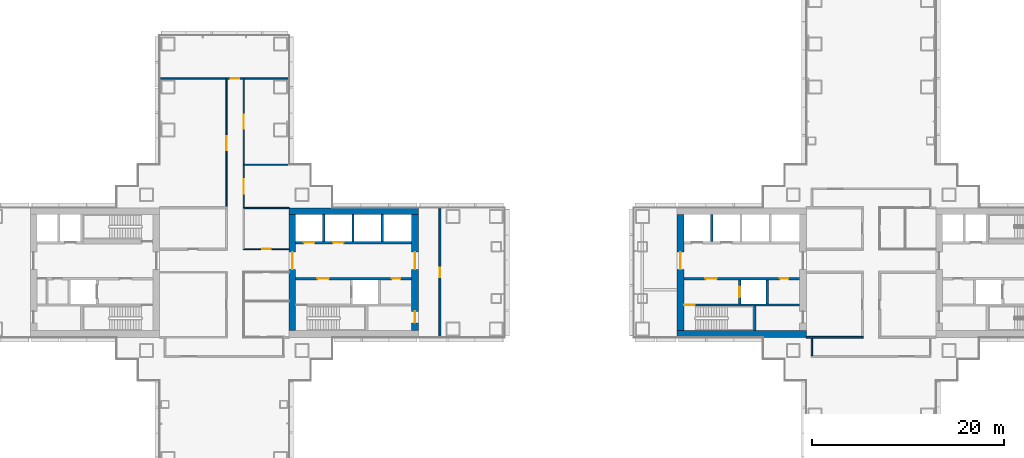
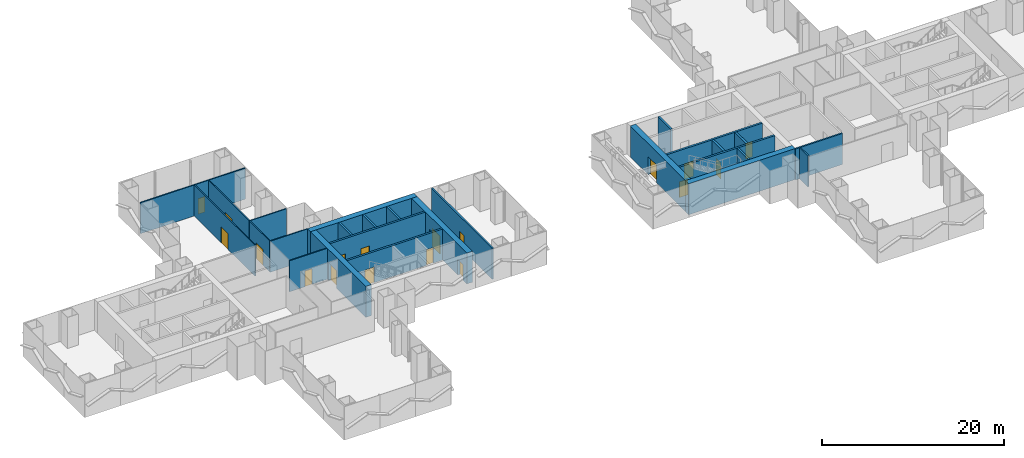
# One storey, part 15 of 22: 28 walls, 18 doors, 18 openings.
"""IFC4 building model written with IfcOpenShell, lengths in metres."""

from ifc_helpers import new_model, si_unit, direction, frame, frame_2d, origin, place, context, subcontext, project, spatial, rectangle, extrude, material, layer, layer_set, type_object, element, fill, save


model = new_model("IFC4")

# Units and contexts
model_context = context("Model", 3, precision=1e-05, world=origin(), true_north=direction((0.0, 1.0)))
body_context = subcontext(model_context, "Body", "Model", "MODEL_VIEW")
ifc_project = project(units=[si_unit("LENGTHUNIT", "METRE"), si_unit("AREAUNIT", "SQUARE_METRE"), si_unit("VOLUMEUNIT", "CUBIC_METRE"), si_unit("PLANEANGLEUNIT", "RADIAN"), si_unit("MASSUNIT", "GRAM", prefix="KILO")], contexts=[model_context])

# Site, building, storey
site_placement = place(None, origin())
site = spatial("IfcSite", under=ifc_project, at=site_placement, CompositionType="ELEMENT")
building_placement = place(site_placement, origin())
building = spatial("IfcBuilding", under=site, at=building_placement, Name="Shamsa Quay Exchange Towers", CompositionType="ELEMENT")
storey_placement = place(building_placement, frame((0.0, 0.0, 37.5)))
storey = spatial("IfcBuildingStorey", under=building, at=storey_placement, Name="L07", CompositionType="ELEMENT", Elevation=37.5)

# Wall
ifc_material_1 = material(Name="Concrete C80/95", Category="concrete")
ifc_layer_1 = layer(ifc_material_1, 0.699951171875)
ifc_layer_set_1 = layer_set([ifc_layer_1], Name="CORE WALL 700 C80/95")
wall_type_1 = type_object("IfcWallType", Name="CORE WALL 700 C80/95", PredefinedType="SHEAR", material=ifc_layer_set_1)
wall_1_placement = place(storey_placement, frame((-27.0, 6.39990234375, 0.0)))
element("IfcWall", 1, at=wall_1_placement, inside=storey, type_object=wall_type_1, Name="Core wall T1A-R02-PN", PredefinedType="SHEAR", context=body_context, shape_type="SweptSolid", body=[
    extrude(rectangle(XDim=13.5, YDim=0.699951171875, at=frame_2d((6.75, 0.0))), origin(), (0.0, 0.0, 1.0), 4.14990234375),
])

# Wall, opening, door
wall_2_placement = place(storey_placement, frame((-26.64990234375, 6.050048828125, 0.0), z_axis=(0.0, 0.0, 1.0), x_axis=(0.0, -1.0, 0.0)))
wall_2 = element("IfcWall", 2, at=wall_2_placement, inside=storey, type_object=wall_type_1, Name="Core wall T1A-R02-PF", PredefinedType="SHEAR", context=body_context, shape_type="SweptSolid", body=[
    extrude(rectangle(XDim=12.10009765625, YDim=0.699951171875, at=frame_2d((6.050048828125, 0.0))), origin(), (0.0, 0.0, 1.0), 4.14990234375),
])
opening_1_placement = place(wall_2_placement, frame((3.89990234375, 0.0, 0.0)))
opening_1 = element("IfcOpeningElement", 3, at=opening_1_placement, cuts=wall_2, Name="Opening T1A-R02-LBD01", PredefinedType="OPENING", context=body_context, shape_type="SweptSolid", body=[
    extrude(rectangle(XDim=1.800048828125, YDim=2.39990234375, at=frame_2d((0.89990234375, 1.199951171875))), frame((0.0, 0.35986328125, 0.0), z_axis=(0.0, -1.0, 0.0), x_axis=(1.0, 0.0, 0.0)), (0.0, 0.0, 1.0), 0.719970703125),
])
ifc_material_2 = material(Name="Steel, fire rated", Category="steel")
door_type_1 = type_object("IfcDoorType", Name="LIFT LOBBY DOOR PAIR 1800", OperationType="DOUBLE_DOOR_SINGLE_SWING", PredefinedType="DOOR", material=ifc_material_2)
door_1_placement = place(opening_1_placement, origin())
door_1 = element("IfcDoor", 4, at=door_1_placement, inside=storey, type_object=door_type_1, Name="T1A-R02-LBD01", OperationType="DOUBLE_DOOR_SINGLE_SWING", OverallHeight=2.39990234375, OverallWidth=1.800048828125, PredefinedType="DOOR", context=body_context, shape_type="SweptSolid", body=[
    extrude(rectangle(XDim=1.800048828125, YDim=2.39990234375, at=frame_2d((0.89990234375, 1.199951171875))), frame((0.0, 0.02490234375, 0.0), z_axis=(0.0, -1.0, 0.0), x_axis=(1.0, 0.0, 0.0)), (0.0, 0.0, 1.0), 0.050048828125),
])
fill(opening_1, door_1)

# Wall, openings, doors
wall_3_placement = place(storey_placement, frame((-13.85009765625, 6.050048828125, 0.0), z_axis=(0.0, 0.0, 1.0), x_axis=(0.0, -1.0, 0.0)))
wall_3 = element("IfcWall", 5, at=wall_3_placement, inside=storey, type_object=wall_type_1, Name="Core wall T1A-R02-PB", PredefinedType="SHEAR", context=body_context, shape_type="SweptSolid", body=[
    extrude(rectangle(XDim=12.10009765625, YDim=0.699951171875, at=frame_2d((6.050048828125, 0.0))), origin(), (0.0, 0.0, 1.0), 4.14990234375),
])
opening_2_placement = place(wall_3_placement, frame((10.10009765625, 0.0, 0.0)))
opening_2 = element("IfcOpeningElement", 6, at=opening_2_placement, cuts=wall_3, Name="Opening T1A-R02-RD02", PredefinedType="OPENING", context=body_context, shape_type="SweptSolid", body=[
    extrude(rectangle(XDim=1.199951171875, YDim=2.10009765625, at=frame_2d((0.60009765625, 1.050048828125))), frame((0.0, 0.35986328125, 0.0), z_axis=(0.0, -1.0, 0.0), x_axis=(1.0, 0.0, 0.0)), (0.0, 0.0, 1.0), 0.719970703125),
])
opening_3_placement = place(wall_3_placement, frame((3.89990234375, 0.0, 0.0)))
opening_3 = element("IfcOpeningElement", 7, at=opening_3_placement, cuts=wall_3, Name="Opening T1A-R02-LBD03", PredefinedType="OPENING", context=body_context, shape_type="SweptSolid", body=[
    extrude(rectangle(XDim=1.800048828125, YDim=2.39990234375, at=frame_2d((0.89990234375, 1.199951171875))), frame((0.0, 0.35986328125, 0.0), z_axis=(0.0, -1.0, 0.0), x_axis=(1.0, 0.0, 0.0)), (0.0, 0.0, 1.0), 0.719970703125),
])
door_2_placement = place(opening_3_placement, origin())
door_2 = element("IfcDoor", 8, at=door_2_placement, inside=storey, type_object=door_type_1, Name="T1A-R02-LBD03", OperationType="DOUBLE_DOOR_SINGLE_SWING", OverallHeight=2.39990234375, OverallWidth=1.800048828125, PredefinedType="DOOR", context=body_context, shape_type="SweptSolid", body=[
    extrude(rectangle(XDim=1.800048828125, YDim=2.39990234375, at=frame_2d((0.89990234375, 1.199951171875))), frame((0.0, 0.02490234375, 0.0), z_axis=(0.0, -1.0, 0.0), x_axis=(1.0, 0.0, 0.0)), (0.0, 0.0, 1.0), 0.050048828125),
])
fill(opening_3, door_2)
door_type_2 = type_object("IfcDoorType", Name="RISER ACCESS DOOR 1200", OperationType="SINGLE_SWING_LEFT", PredefinedType="DOOR", material=ifc_material_2)
door_3_placement = place(opening_2_placement, origin())
door_3 = element("IfcDoor", 9, at=door_3_placement, inside=storey, type_object=door_type_2, Name="T1A-R02-RD02", OperationType="SINGLE_SWING_RIGHT", OverallHeight=2.10009765625, OverallWidth=1.199951171875, PredefinedType="DOOR", context=body_context, shape_type="SweptSolid", body=[
    extrude(rectangle(XDim=1.199951171875, YDim=2.10009765625, at=frame_2d((0.60009765625, 1.050048828125))), frame((0.0, 0.02490234375, 0.0), z_axis=(0.0, -1.0, 0.0), x_axis=(1.0, 0.0, 0.0)), (0.0, 0.0, 1.0), 0.050048828125),
])
fill(opening_2, door_3)

# Wall
wall_4_placement = place(storey_placement, frame((13.5, -6.39990234375, 0.0)))
element("IfcWall", 10, at=wall_4_placement, inside=storey, type_object=wall_type_1, Name="Core wall T2A-R02-PS", PredefinedType="SHEAR", context=body_context, shape_type="SweptSolid", body=[
    extrude(rectangle(XDim=13.5, YDim=0.699951171875, at=frame_2d((6.75, 0.0))), origin(), (0.0, 0.0, 1.0), 4.14990234375),
])

# Wall, opening, door
wall_5_placement = place(storey_placement, frame((13.85009765625, 6.050048828125, 0.0), z_axis=(0.0, 0.0, 1.0), x_axis=(0.0, -1.0, 0.0)))
wall_5 = element("IfcWall", 11, at=wall_5_placement, inside=storey, type_object=wall_type_1, Name="Core wall T2A-R02-PF", PredefinedType="SHEAR", context=body_context, shape_type="SweptSolid", body=[
    extrude(rectangle(XDim=12.10009765625, YDim=0.699951171875, at=frame_2d((6.050048828125, 0.0))), origin(), (0.0, 0.0, 1.0), 4.14990234375),
])
opening_4_placement = place(wall_5_placement, frame((3.89990234375, 0.0, 0.0)))
opening_4 = element("IfcOpeningElement", 12, at=opening_4_placement, cuts=wall_5, Name="Opening T2A-R02-LBD01", PredefinedType="OPENING", context=body_context, shape_type="SweptSolid", body=[
    extrude(rectangle(XDim=1.800048828125, YDim=2.39990234375, at=frame_2d((0.89990234375, 1.199951171875))), frame((0.0, 0.35986328125, 0.0), z_axis=(0.0, -1.0, 0.0), x_axis=(1.0, 0.0, 0.0)), (0.0, 0.0, 1.0), 0.719970703125),
])
door_4_placement = place(opening_4_placement, origin())
door_4 = element("IfcDoor", 13, at=door_4_placement, inside=storey, type_object=door_type_1, Name="T2A-R02-LBD01", OperationType="DOUBLE_DOOR_SINGLE_SWING", OverallHeight=2.39990234375, OverallWidth=1.800048828125, PredefinedType="DOOR", context=body_context, shape_type="SweptSolid", body=[
    extrude(rectangle(XDim=1.800048828125, YDim=2.39990234375, at=frame_2d((0.89990234375, 1.199951171875))), frame((0.0, 0.02490234375, 0.0), z_axis=(0.0, -1.0, 0.0), x_axis=(1.0, 0.0, 0.0)), (0.0, 0.0, 1.0), 0.050048828125),
])
fill(opening_4, door_4)

ifc_material_3 = material(Name="Laminated fire-resisting glass in a metal frame", Category="glass")
ifc_layer_2 = layer(ifc_material_3, 0.125)
ifc_layer_set_2 = layer_set([ifc_layer_2], Name="Glazed partition 125 mm EI 60")
wall_type_2 = type_object("IfcWallType", Name="Glazed partition 125 mm EI 60", PredefinedType="PARTITIONING", material=ifc_layer_set_2)
wall_6_placement = place(storey_placement, frame((-31.724609375, 20.175048828125, 0.0), z_axis=(0.0, 0.0, 1.0), x_axis=(0.0, -1.0, 0.0)))
wall_6 = element("IfcWall", 14, at=wall_6_placement, inside=storey, type_object=wall_type_2, Name="Partition T1-R02-W01", PredefinedType="PARTITIONING", context=body_context, shape_type="SweptSolid", body=[
    extrude(rectangle(XDim=8.862548828125, YDim=0.125, at=frame_2d((4.43115234375, 0.0))), origin(), (0.0, 0.0, 1.0), 4.14990234375),
])
opening_5_placement = place(wall_6_placement, frame((3.675048828125, 0.0, 0.0)))
opening_5 = element("IfcOpeningElement", 15, at=opening_5_placement, cuts=wall_6, Name="Opening T1-R02-D09", PredefinedType="OPENING", context=body_context, shape_type="SweptSolid", body=[
    extrude(rectangle(XDim=1.5, YDim=2.10009765625, at=frame_2d((0.75, 1.050048828125))), frame((0.0, 0.072509765625, 0.0), z_axis=(0.0, -1.0, 0.0), x_axis=(1.0, 0.0, 0.0)), (0.0, 0.0, 1.0), 0.14501953125),
])
ifc_material_4 = material(Name="Timber door leaf in a metal frame", Category="wood")
door_type_3 = type_object("IfcDoorType", Name="Door 1500x2100 FD30S pair", OperationType="NOTDEFINED", PredefinedType="DOOR", material=ifc_material_4)
door_5_placement = place(opening_5_placement, origin())
door_5 = element("IfcDoor", 16, at=door_5_placement, inside=storey, type_object=door_type_3, Name="Door T1-R02-D09", OperationType="DOUBLE_DOOR_SINGLE_SWING", OverallHeight=2.10009765625, OverallWidth=1.5, PredefinedType="DOOR", context=body_context, shape_type="SweptSolid", body=[
    extrude(rectangle(XDim=1.5, YDim=2.10009765625, at=frame_2d((0.75, 1.050048828125))), frame((0.0, 0.02490234375, 0.0), z_axis=(0.0, -1.0, 0.0), x_axis=(1.0, 0.0, 0.0)), (0.0, 0.0, 1.0), 0.050048828125),
])
fill(opening_5, door_5)

wall_7_placement = place(storey_placement, frame((-31.787109375, 2.4501953125, 0.0)))
wall_7 = element("IfcWall", 17, at=wall_7_placement, inside=storey, type_object=wall_type_2, Name="Partition T1-R02-W03", PredefinedType="PARTITIONING", context=body_context, shape_type="SweptSolid", body=[
    extrude(rectangle(XDim=4.787109375, YDim=0.125, at=frame_2d((2.3935546875, 0.0))), origin(), (0.0, 0.0, 1.0), 4.14990234375),
])
opening_6_placement = place(wall_7_placement, frame((1.974853515625, 0.0, 0.0)))
opening_6 = element("IfcOpeningElement", 18, at=opening_6_placement, cuts=wall_7, Name="Opening T1-R02-D07", PredefinedType="OPENING", context=body_context, shape_type="SweptSolid", body=[
    extrude(rectangle(XDim=0.89990234375, YDim=2.10009765625, at=frame_2d((0.449951171875, 1.050048828125))), frame((0.0, 0.072509765625, 0.0), z_axis=(0.0, -1.0, 0.0), x_axis=(1.0, 0.0, 0.0)), (0.0, 0.0, 1.0), 0.14501953125),
])
door_type_4 = type_object("IfcDoorType", Name="Door 900x2100 FD30S", OperationType="NOTDEFINED", PredefinedType="DOOR", material=ifc_material_4)
door_6_placement = place(opening_6_placement, origin())
door_6 = element("IfcDoor", 19, at=door_6_placement, inside=storey, type_object=door_type_4, Name="Door T1-R02-D07", OperationType="SINGLE_SWING_LEFT", OverallHeight=2.10009765625, OverallWidth=0.89990234375, PredefinedType="DOOR", context=body_context, shape_type="SweptSolid", body=[
    extrude(rectangle(XDim=0.89990234375, YDim=2.10009765625, at=frame_2d((0.449951171875, 1.050048828125))), frame((0.0, 0.02490234375, 0.0), z_axis=(0.0, -1.0, 0.0), x_axis=(1.0, 0.0, 0.0)), (0.0, 0.0, 1.0), 0.050048828125),
])
fill(opening_6, door_6)

wall_8_placement = place(storey_placement, frame((-33.525390625, 6.85009765625, 0.0), z_axis=(0.0, 0.0, 1.0), x_axis=(0.0, 1.0, 0.0)))
wall_8 = element("IfcWall", 20, at=wall_8_placement, inside=storey, type_object=wall_type_2, Name="Partition T1-R02-W11", PredefinedType="PARTITIONING", context=body_context, shape_type="SweptSolid", body=[
    extrude(rectangle(XDim=13.324951171875, YDim=0.125, at=frame_2d((6.66259765625, 0.0))), origin(), (0.0, 0.0, 1.0), 4.14990234375),
])
opening_7_placement = place(wall_8_placement, frame((5.89990234375, 0.0, 0.0)))
opening_7 = element("IfcOpeningElement", 21, at=opening_7_placement, cuts=wall_8, Name="Opening T1-R02-D04", PredefinedType="OPENING", context=body_context, shape_type="SweptSolid", body=[
    extrude(rectangle(XDim=1.5, YDim=2.10009765625, at=frame_2d((0.75, 1.050048828125))), frame((0.0, 0.072509765625, 0.0), z_axis=(0.0, -1.0, 0.0), x_axis=(1.0, 0.0, 0.0)), (0.0, 0.0, 1.0), 0.14501953125),
])
door_7_placement = place(opening_7_placement, origin())
door_7 = element("IfcDoor", 22, at=door_7_placement, inside=storey, type_object=door_type_3, Name="Door T1-R02-D04", OperationType="DOUBLE_DOOR_SINGLE_SWING", OverallHeight=2.10009765625, OverallWidth=1.5, PredefinedType="DOOR", context=body_context, shape_type="SweptSolid", body=[
    extrude(rectangle(XDim=1.5, YDim=2.10009765625, at=frame_2d((0.75, 1.050048828125))), frame((0.0, 0.02490234375, 0.0), z_axis=(0.0, -1.0, 0.0), x_axis=(1.0, 0.0, 0.0)), (0.0, 0.0, 1.0), 0.050048828125),
])
fill(opening_7, door_7)

wall_9_placement = place(storey_placement, frame((-31.724609375, 6.8125, 0.0), z_axis=(0.0, 0.0, 1.0), x_axis=(0.0, 1.0, 0.0)))
wall_9 = element("IfcWall", 23, at=wall_9_placement, inside=storey, type_object=wall_type_2, Name="Partition T1-R02-W13", PredefinedType="PARTITIONING", context=body_context, shape_type="SweptSolid", body=[
    extrude(rectangle(XDim=4.375, YDim=0.125, at=frame_2d((2.1875, 0.0))), origin(), (0.0, 0.0, 1.0), 4.14990234375),
])
opening_8_placement = place(wall_9_placement, frame((1.4375, 0.0, 0.0)))
opening_8 = element("IfcOpeningElement", 24, at=opening_8_placement, cuts=wall_9, Name="Opening T1-R02-D08", PredefinedType="OPENING", context=body_context, shape_type="SweptSolid", body=[
    extrude(rectangle(XDim=1.5, YDim=2.10009765625, at=frame_2d((0.75, 1.050048828125))), frame((0.0, 0.072509765625, 0.0), z_axis=(0.0, -1.0, 0.0), x_axis=(1.0, 0.0, 0.0)), (0.0, 0.0, 1.0), 0.14501953125),
])
door_8_placement = place(opening_8_placement, origin())
door_8 = element("IfcDoor", 25, at=door_8_placement, inside=storey, type_object=door_type_3, Name="Door T1-R02-D08", OperationType="DOUBLE_DOOR_SINGLE_SWING", OverallHeight=2.10009765625, OverallWidth=1.5, PredefinedType="DOOR", context=body_context, shape_type="SweptSolid", body=[
    extrude(rectangle(XDim=1.5, YDim=2.10009765625, at=frame_2d((0.75, 1.050048828125))), frame((0.0, 0.02490234375, 0.0), z_axis=(0.0, -1.0, 0.0), x_axis=(1.0, 0.0, 0.0)), (0.0, 0.0, 1.0), 0.050048828125),
])
fill(opening_8, door_8)

# Walls
wall_10_placement = place(storey_placement, frame((-27.0, 6.75, 0.0), z_axis=(0.0, 0.0, 1.0), x_axis=(-1.0, 0.0, 0.0)))
element("IfcWall", 26, at=wall_10_placement, inside=storey, type_object=wall_type_2, Name="Partition T1-R02-W19", PredefinedType="PARTITIONING", context=body_context, shape_type="SweptSolid", body=[
    extrude(rectangle(XDim=4.787109375, YDim=0.125, at=frame_2d((2.3935546875, 0.0))), origin(), (0.0, 0.0, 1.0), 4.14990234375),
])
wall_11_placement = place(storey_placement, frame((-27.094970703125, 11.25, 0.0), z_axis=(0.0, 0.0, 1.0), x_axis=(-1.0, 0.0, 0.0)))
element("IfcWall", 27, at=wall_11_placement, inside=storey, type_object=wall_type_2, Name="Partition T1-R02-W24", PredefinedType="PARTITIONING", context=body_context, shape_type="SweptSolid", body=[
    extrude(rectangle(XDim=4.692138671875, YDim=0.125, at=frame_2d((2.34619140625, 0.0))), origin(), (0.0, 0.0, 1.0), 4.14990234375),
])

# Wall, opening, door
ifc_material_5 = material(Name="Gypsum board partition on metal studs")
ifc_layer_3 = layer(ifc_material_5, 0.14990234375)
ifc_layer_set_3 = layer_set([ifc_layer_3], Name="Partition 150 mm EI 60")
wall_type_3 = type_object("IfcWallType", Name="Partition 150 mm EI 60", PredefinedType="PARTITIONING", material=ifc_layer_set_3)
wall_12_placement = place(storey_placement, frame((-33.587890625, 20.25, 0.0)))
wall_12 = element("IfcWall", 28, at=wall_12_placement, inside=storey, type_object=wall_type_3, Name="Partition T1-R02-W14", PredefinedType="PARTITIONING", context=body_context, shape_type="SweptSolid", body=[
    extrude(rectangle(XDim=1.92578125, YDim=0.14990234375, at=frame_2d((0.962890625, 0.0))), origin(), (0.0, 0.0, 1.0), 4.14990234375),
])
opening_9_placement = place(wall_12_placement, frame((0.512939453125, 0.0, 0.0)))
opening_9 = element("IfcOpeningElement", 29, at=opening_9_placement, cuts=wall_12, Name="Opening T1-R02-D05", PredefinedType="OPENING", context=body_context, shape_type="SweptSolid", body=[
    extrude(rectangle(XDim=0.89990234375, YDim=2.10009765625, at=frame_2d((0.449951171875, 1.050048828125))), frame((0.0, 0.0849609375, 0.0), z_axis=(0.0, -1.0, 0.0), x_axis=(1.0, 0.0, 0.0)), (0.0, 0.0, 1.0), 0.169921875),
])
door_9_placement = place(opening_9_placement, origin())
door_9 = element("IfcDoor", 30, at=door_9_placement, inside=storey, type_object=door_type_4, Name="Door T1-R02-D05", OperationType="SINGLE_SWING_LEFT", OverallHeight=2.10009765625, OverallWidth=0.89990234375, PredefinedType="DOOR", context=body_context, shape_type="SweptSolid", body=[
    extrude(rectangle(XDim=0.89990234375, YDim=2.10009765625, at=frame_2d((0.449951171875, 1.050048828125))), frame((0.0, 0.02490234375, 0.0), z_axis=(0.0, -1.0, 0.0), x_axis=(1.0, 0.0, 0.0)), (0.0, 0.0, 1.0), 0.050048828125),
])
fill(opening_9, door_9)

# Walls
wall_13_placement = place(storey_placement, frame((-27.094970703125, 20.25, 0.0), z_axis=(0.0, 0.0, 1.0), x_axis=(-1.0, 0.0, 0.0)))
element("IfcWall", 31, at=wall_13_placement, inside=storey, type_object=wall_type_3, Name="Partition T1-R02-W25", PredefinedType="PARTITIONING", context=body_context, shape_type="SweptSolid", body=[
    extrude(rectangle(XDim=4.692138671875, YDim=0.14990234375, at=frame_2d((2.34619140625, 0.0))), origin(), (0.0, 0.0, 1.0), 4.14990234375),
])
wall_14_placement = place(storey_placement, frame((-33.462890625, 20.25, 0.0), z_axis=(0.0, 0.0, 1.0), x_axis=(-1.0, 0.0, 0.0)))
element("IfcWall", 32, at=wall_14_placement, inside=storey, type_object=wall_type_3, Name="Partition T1-R02-W26", PredefinedType="PARTITIONING", context=body_context, shape_type="SweptSolid", body=[
    extrude(rectangle(XDim=6.942138671875, YDim=0.14990234375, at=frame_2d((3.47119140625, 0.0))), origin(), (0.0, 0.0, 1.0), 4.14990234375),
])
wall_15_placement = place(storey_placement, frame((27.5751953125, -6.85009765625, 0.0), z_axis=(0.0, 0.0, 1.0), x_axis=(0.0, -1.0, 0.0)))
element("IfcWall", 33, at=wall_15_placement, inside=storey, type_object=wall_type_3, Name="Partition T2-R02-W16", PredefinedType="PARTITIONING", context=body_context, shape_type="SweptSolid", body=[
    extrude(rectangle(XDim=1.824951171875, YDim=0.14990234375, at=frame_2d((0.91259765625, 0.0))), origin(), (0.0, 0.0, 1.0), 4.14990234375),
])

# Wall, opening, door
ifc_layer_4 = layer(ifc_material_5, 0.199951171875)
ifc_layer_set_4 = layer_set([ifc_layer_4], Name="Partition 200 mm EI 120")
wall_type_4 = type_object("IfcWallType", Name="Partition 200 mm EI 120", PredefinedType="PARTITIONING", material=ifc_layer_set_4)
wall_16_placement = place(storey_placement, frame((-11.25, 6.655029296875, 0.0), z_axis=(0.0, 0.0, 1.0), x_axis=(0.0, -1.0, 0.0)))
wall_16 = element("IfcWall", 34, at=wall_16_placement, inside=storey, type_object=wall_type_4, Name="Partition T1-R02-W18", PredefinedType="PARTITIONING", context=body_context, shape_type="SweptSolid", body=[
    extrude(rectangle(XDim=13.31005859375, YDim=0.199951171875, at=frame_2d((6.655029296875, 0.0))), origin(), (0.0, 0.0, 1.0), 4.14990234375),
])
opening_10_placement = place(wall_16_placement, frame((6.155029296875, 0.0, 0.0)))
opening_10 = element("IfcOpeningElement", 35, at=opening_10_placement, cuts=wall_16, Name="Opening T1-R02-D12", PredefinedType="OPENING", context=body_context, shape_type="SweptSolid", body=[
    extrude(rectangle(XDim=1.0, YDim=2.10009765625, at=frame_2d((0.5, 1.050048828125))), frame((0.0, 0.10986328125, 0.0), z_axis=(0.0, -1.0, 0.0), x_axis=(1.0, 0.0, 0.0)), (0.0, 0.0, 1.0), 0.219970703125),
])
door_type_5 = type_object("IfcDoorType", Name="Door 1000x2100 FD60", OperationType="NOTDEFINED", PredefinedType="DOOR", material=ifc_material_4)
door_10_placement = place(opening_10_placement, origin())
door_10 = element("IfcDoor", 36, at=door_10_placement, inside=storey, type_object=door_type_5, Name="Door T1-R02-D12", OperationType="SINGLE_SWING_RIGHT", OverallHeight=2.10009765625, OverallWidth=1.0, PredefinedType="DOOR", context=body_context, shape_type="SweptSolid", body=[
    extrude(rectangle(XDim=1.0, YDim=2.10009765625, at=frame_2d((0.5, 1.050048828125))), frame((0.0, 0.02490234375, 0.0), z_axis=(0.0, -1.0, 0.0), x_axis=(1.0, 0.0, 0.0)), (0.0, 0.0, 1.0), 0.050048828125),
])
fill(opening_10, door_10)

# Wall
wall_17_placement = place(storey_placement, frame((27.0, -6.75, 0.0)))
element("IfcWall", 37, at=wall_17_placement, inside=storey, type_object=wall_type_4, Name="Partition T2-R02-W08", PredefinedType="PARTITIONING", context=body_context, shape_type="SweptSolid", body=[
    extrude(rectangle(XDim=5.94970703125, YDim=0.199951171875, at=frame_2d((2.974853515625, 0.0))), origin(), (0.0, 0.0, 1.0), 4.14990234375),
])

# Wall, openings, doors
ifc_material_6 = material(Name="Concrete C50/60", Category="concrete")
ifc_layer_5 = layer(ifc_material_6, 0.25)
ifc_layer_set_5 = layer_set([ifc_layer_5], Name="SHAFT WALL 250 C50/60")
wall_type_5 = type_object("IfcWallType", Name="SHAFT WALL 250 C50/60", PredefinedType="SHEAR", material=ifc_layer_set_5)
wall_18_placement = place(storey_placement, frame((-14.199951171875, -0.625, 0.0), z_axis=(0.0, 0.0, 1.0), x_axis=(-1.0, 0.0, 0.0)))
wall_18 = element("IfcWall", 38, at=wall_18_placement, inside=storey, type_object=wall_type_5, Name="Shaft wall T1A-R02-B", PredefinedType="SHEAR", context=body_context, shape_type="SweptSolid", body=[
    extrude(rectangle(XDim=12.10009765625, YDim=0.25, at=frame_2d((6.050048828125, 0.0))), origin(), (0.0, 0.0, 1.0), 4.14990234375),
])
opening_11_placement = place(wall_18_placement, frame((8.64990234375, 0.0, 0.0)))
opening_11 = element("IfcOpeningElement", 39, at=opening_11_placement, cuts=wall_18, Name="Opening T1A-R02-FD05", PredefinedType="OPENING", context=body_context, shape_type="SweptSolid", body=[
    extrude(rectangle(XDim=1.199951171875, YDim=2.10009765625, at=frame_2d((0.60009765625, 1.050048828125))), frame((0.0, 0.135009765625, 0.0), z_axis=(0.0, -1.0, 0.0), x_axis=(1.0, 0.0, 0.0)), (0.0, 0.0, 1.0), 0.27001953125),
])
opening_12_placement = place(wall_18_placement, frame((1.175048828125, 0.0, 0.0)))
opening_12 = element("IfcOpeningElement", 40, at=opening_12_placement, cuts=wall_18, Name="Opening T1A-R02-SV06", PredefinedType="OPENING", context=body_context, shape_type="SweptSolid", body=[
    extrude(rectangle(XDim=0.89990234375, YDim=2.10009765625, at=frame_2d((0.449951171875, 1.050048828125))), frame((0.0, 0.135009765625, 0.0), z_axis=(0.0, -1.0, 0.0), x_axis=(1.0, 0.0, 0.0)), (0.0, 0.0, 1.0), 0.27001953125),
])
door_type_6 = type_object("IfcDoorType", Name="FIRE SERVICE LOBBY DOOR 1200", OperationType="SINGLE_SWING_LEFT", PredefinedType="DOOR", material=ifc_material_2)
door_11_placement = place(opening_11_placement, origin())
door_11 = element("IfcDoor", 41, at=door_11_placement, inside=storey, type_object=door_type_6, Name="T1A-R02-FD05", OperationType="SINGLE_SWING_RIGHT", OverallHeight=2.10009765625, OverallWidth=1.199951171875, PredefinedType="DOOR", context=body_context, shape_type="SweptSolid", body=[
    extrude(rectangle(XDim=1.199951171875, YDim=2.10009765625, at=frame_2d((0.60009765625, 1.050048828125))), frame((0.0, 0.02490234375, 0.0), z_axis=(0.0, -1.0, 0.0), x_axis=(1.0, 0.0, 0.0)), (0.0, 0.0, 1.0), 0.050048828125),
])
fill(opening_11, door_11)
door_type_7 = type_object("IfcDoorType", Name="SERVICE ROOM DOOR 900", OperationType="SINGLE_SWING_LEFT", PredefinedType="DOOR", material=ifc_material_2)
door_12_placement = place(opening_12_placement, origin())
door_12 = element("IfcDoor", 42, at=door_12_placement, inside=storey, type_object=door_type_7, Name="T1A-R02-SV06", OperationType="SINGLE_SWING_LEFT", OverallHeight=2.10009765625, OverallWidth=0.89990234375, PredefinedType="DOOR", context=body_context, shape_type="SweptSolid", body=[
    extrude(rectangle(XDim=0.89990234375, YDim=2.10009765625, at=frame_2d((0.449951171875, 1.050048828125))), frame((0.0, 0.02490234375, 0.0), z_axis=(0.0, -1.0, 0.0), x_axis=(1.0, 0.0, 0.0)), (0.0, 0.0, 1.0), 0.050048828125),
])
fill(opening_12, door_12)

wall_19_placement = place(storey_placement, frame((-26.300048828125, 3.125, 0.0)))
wall_19 = element("IfcWall", 43, at=wall_19_placement, inside=storey, type_object=wall_type_5, Name="Shaft wall T1A-R02-N", PredefinedType="SHEAR", context=body_context, shape_type="SweptSolid", body=[
    extrude(rectangle(XDim=12.10009765625, YDim=0.25, at=frame_2d((6.050048828125, 0.0))), origin(), (0.0, 0.0, 1.0), 4.14990234375),
])
opening_13_placement = place(wall_19_placement, frame((0.85009765625, 0.0, 0.0)))
opening_13 = element("IfcOpeningElement", 44, at=opening_13_placement, cuts=wall_19, Name="Opening T1A-R02-LD08", PredefinedType="OPENING", context=body_context, shape_type="SweptSolid", body=[
    extrude(rectangle(XDim=1.10009765625, YDim=2.10009765625, at=frame_2d((0.550048828125, 1.050048828125))), frame((0.0, 0.135009765625, 0.0), z_axis=(0.0, -1.0, 0.0), x_axis=(1.0, 0.0, 0.0)), (0.0, 0.0, 1.0), 0.27001953125),
])
opening_14_placement = place(wall_19_placement, frame((3.89990234375, 0.0, 0.0)))
opening_14 = element("IfcOpeningElement", 45, at=opening_14_placement, cuts=wall_19, Name="Opening T1A-R02-LD09", PredefinedType="OPENING", context=body_context, shape_type="SweptSolid", body=[
    extrude(rectangle(XDim=1.10009765625, YDim=2.10009765625, at=frame_2d((0.550048828125, 1.050048828125))), frame((0.0, 0.135009765625, 0.0), z_axis=(0.0, -1.0, 0.0), x_axis=(1.0, 0.0, 0.0)), (0.0, 0.0, 1.0), 0.27001953125),
])
door_type_8 = type_object("IfcDoorType", Name="LANDING DOOR 1100", OperationType="SLIDING_TO_LEFT", PredefinedType="DOOR", material=ifc_material_2)
door_13_placement = place(opening_13_placement, origin())
door_13 = element("IfcDoor", 46, at=door_13_placement, inside=storey, type_object=door_type_8, Name="T1A-R02-LD08", OperationType="SLIDING_TO_LEFT", OverallHeight=2.10009765625, OverallWidth=1.10009765625, PredefinedType="DOOR", context=body_context, shape_type="SweptSolid", body=[
    extrude(rectangle(XDim=1.10009765625, YDim=2.10009765625, at=frame_2d((0.550048828125, 1.050048828125))), frame((0.0, 0.02490234375, 0.0), z_axis=(0.0, -1.0, 0.0), x_axis=(1.0, 0.0, 0.0)), (0.0, 0.0, 1.0), 0.050048828125),
])
fill(opening_13, door_13)
door_14_placement = place(opening_14_placement, origin())
door_14 = element("IfcDoor", 47, at=door_14_placement, inside=storey, type_object=door_type_8, Name="T1A-R02-LD09", OperationType="SLIDING_TO_LEFT", OverallHeight=2.10009765625, OverallWidth=1.10009765625, PredefinedType="DOOR", context=body_context, shape_type="SweptSolid", body=[
    extrude(rectangle(XDim=1.10009765625, YDim=2.10009765625, at=frame_2d((0.550048828125, 1.050048828125))), frame((0.0, 0.02490234375, 0.0), z_axis=(0.0, -1.0, 0.0), x_axis=(1.0, 0.0, 0.0)), (0.0, 0.0, 1.0), 0.050048828125),
])
fill(opening_14, door_14)

# Walls
for number, where, z_axis, x_axis, name in (
    (48, (-23.375, 3.25, 0.0), (0.0, 0.0, 1.0), (0.0, 1.0, 0.0), "Shaft wall T1A-R02-D0"),
    (49, (-20.324951171875, 3.25, 0.0), (0.0, 0.0, 1.0), (0.0, 1.0, 0.0), "Shaft wall T1A-R02-D1"),
    (50, (-17.27490234375, 3.25, 0.0), (0.0, 0.0, 1.0), (0.0, 1.0, 0.0), "Shaft wall T1A-R02-D2"),
):
    element("IfcWall", number, at=place(storey_placement, frame(where, z_axis=z_axis, x_axis=x_axis)), inside=storey, type_object=wall_type_5, Name=name, PredefinedType="SHEAR", context=body_context, shape_type="SweptSolid", body=[
        extrude(rectangle(XDim=2.800048828125, YDim=0.25, at=frame_2d((1.39990234375, 0.0))), origin(), (0.0, 0.0, 1.0), 4.14990234375),
    ])

# Wall, opening, door
wall_20_placement = place(storey_placement, frame((26.300048828125, -3.375, 0.0), z_axis=(0.0, 0.0, 1.0), x_axis=(-1.0, 0.0, 0.0)))
wall_20 = element("IfcWall", 51, at=wall_20_placement, inside=storey, type_object=wall_type_5, Name="Shaft wall T2A-R02-STL", PredefinedType="SHEAR", context=body_context, shape_type="SweptSolid", body=[
    extrude(rectangle(XDim=12.10009765625, YDim=0.25, at=frame_2d((6.050048828125, 0.0))), origin(), (0.0, 0.0, 1.0), 4.14990234375),
])
opening_15_placement = place(wall_20_placement, frame((10.949951171875, 0.0, 0.0)))
opening_15 = element("IfcOpeningElement", 52, at=opening_15_placement, cuts=wall_20, Name="Opening T2A-R02-SD04", PredefinedType="OPENING", context=body_context, shape_type="SweptSolid", body=[
    extrude(rectangle(XDim=1.10009765625, YDim=2.10009765625, at=frame_2d((0.550048828125, 1.050048828125))), frame((0.0, 0.135009765625, 0.0), z_axis=(0.0, -1.0, 0.0), x_axis=(1.0, 0.0, 0.0)), (0.0, 0.0, 1.0), 0.27001953125),
])
door_type_9 = type_object("IfcDoorType", Name="STAIR DOOR 1100", OperationType="SINGLE_SWING_LEFT", PredefinedType="DOOR", material=ifc_material_2)
door_15_placement = place(opening_15_placement, origin())
door_15 = element("IfcDoor", 53, at=door_15_placement, inside=storey, type_object=door_type_9, Name="T2A-R02-SD04", OperationType="SINGLE_SWING_RIGHT", OverallHeight=2.10009765625, OverallWidth=1.10009765625, PredefinedType="DOOR", context=body_context, shape_type="SweptSolid", body=[
    extrude(rectangle(XDim=1.10009765625, YDim=2.10009765625, at=frame_2d((0.550048828125, 1.050048828125))), frame((0.0, 0.02490234375, 0.0), z_axis=(0.0, -1.0, 0.0), x_axis=(1.0, 0.0, 0.0)), (0.0, 0.0, 1.0), 0.050048828125),
])
fill(opening_15, door_15)

# Wall
wall_21_placement = place(storey_placement, frame((21.625, -6.050048828125, 0.0), z_axis=(0.0, 0.0, 1.0), x_axis=(0.0, 1.0, 0.0)))
element("IfcWall", 54, at=wall_21_placement, inside=storey, type_object=wall_type_5, Name="Shaft wall T2A-R02-STF", PredefinedType="SHEAR", context=body_context, shape_type="SweptSolid", body=[
    extrude(rectangle(XDim=2.550048828125, YDim=0.25, at=frame_2d((1.27490234375, 0.0))), origin(), (0.0, 0.0, 1.0), 4.14990234375),
])

# Wall, openings, doors
wall_22_placement = place(storey_placement, frame((26.300048828125, -0.625, 0.0), z_axis=(0.0, 0.0, 1.0), x_axis=(-1.0, 0.0, 0.0)))
wall_22 = element("IfcWall", 55, at=wall_22_placement, inside=storey, type_object=wall_type_5, Name="Shaft wall T2A-R02-B", PredefinedType="SHEAR", context=body_context, shape_type="SweptSolid", body=[
    extrude(rectangle(XDim=12.10009765625, YDim=0.25, at=frame_2d((6.050048828125, 0.0))), origin(), (0.0, 0.0, 1.0), 4.14990234375),
])
opening_16_placement = place(wall_22_placement, frame((8.64990234375, 0.0, 0.0)))
opening_16 = element("IfcOpeningElement", 56, at=opening_16_placement, cuts=wall_22, Name="Opening T2A-R02-FD05", PredefinedType="OPENING", context=body_context, shape_type="SweptSolid", body=[
    extrude(rectangle(XDim=1.199951171875, YDim=2.10009765625, at=frame_2d((0.60009765625, 1.050048828125))), frame((0.0, 0.135009765625, 0.0), z_axis=(0.0, -1.0, 0.0), x_axis=(1.0, 0.0, 0.0)), (0.0, 0.0, 1.0), 0.27001953125),
])
opening_17_placement = place(wall_22_placement, frame((1.175048828125, 0.0, 0.0)))
opening_17 = element("IfcOpeningElement", 57, at=opening_17_placement, cuts=wall_22, Name="Opening T2A-R02-SV06", PredefinedType="OPENING", context=body_context, shape_type="SweptSolid", body=[
    extrude(rectangle(XDim=0.89990234375, YDim=2.10009765625, at=frame_2d((0.449951171875, 1.050048828125))), frame((0.0, 0.135009765625, 0.0), z_axis=(0.0, -1.0, 0.0), x_axis=(1.0, 0.0, 0.0)), (0.0, 0.0, 1.0), 0.27001953125),
])
door_16_placement = place(opening_16_placement, origin())
door_16 = element("IfcDoor", 58, at=door_16_placement, inside=storey, type_object=door_type_6, Name="T2A-R02-FD05", OperationType="SINGLE_SWING_RIGHT", OverallHeight=2.10009765625, OverallWidth=1.199951171875, PredefinedType="DOOR", context=body_context, shape_type="SweptSolid", body=[
    extrude(rectangle(XDim=1.199951171875, YDim=2.10009765625, at=frame_2d((0.60009765625, 1.050048828125))), frame((0.0, 0.02490234375, 0.0), z_axis=(0.0, -1.0, 0.0), x_axis=(1.0, 0.0, 0.0)), (0.0, 0.0, 1.0), 0.050048828125),
])
fill(opening_16, door_16)
door_17_placement = place(opening_17_placement, origin())
door_17 = element("IfcDoor", 59, at=door_17_placement, inside=storey, type_object=door_type_7, Name="T2A-R02-SV06", OperationType="SINGLE_SWING_LEFT", OverallHeight=2.10009765625, OverallWidth=0.89990234375, PredefinedType="DOOR", context=body_context, shape_type="SweptSolid", body=[
    extrude(rectangle(XDim=0.89990234375, YDim=2.10009765625, at=frame_2d((0.449951171875, 1.050048828125))), frame((0.0, 0.02490234375, 0.0), z_axis=(0.0, -1.0, 0.0), x_axis=(1.0, 0.0, 0.0)), (0.0, 0.0, 1.0), 0.050048828125),
])
fill(opening_17, door_17)

# Wall, opening, door
wall_23_placement = place(storey_placement, frame((20.02490234375, -3.25, 0.0), z_axis=(0.0, 0.0, 1.0), x_axis=(0.0, 1.0, 0.0)))
wall_23 = element("IfcWall", 60, at=wall_23_placement, inside=storey, type_object=wall_type_5, Name="Shaft wall T2A-R02-FFF", PredefinedType="SHEAR", context=body_context, shape_type="SweptSolid", body=[
    extrude(rectangle(XDim=2.5, YDim=0.25, at=frame_2d((1.25, 0.0))), origin(), (0.0, 0.0, 1.0), 4.14990234375),
])
opening_18_placement = place(wall_23_placement, frame((0.699951171875, 0.0, 0.0)))
opening_18 = element("IfcOpeningElement", 61, at=opening_18_placement, cuts=wall_23, Name="Opening T2A-R02-LDF07", PredefinedType="OPENING", context=body_context, shape_type="SweptSolid", body=[
    extrude(rectangle(XDim=1.10009765625, YDim=2.10009765625, at=frame_2d((0.550048828125, 1.050048828125))), frame((0.0, 0.135009765625, 0.0), z_axis=(0.0, -1.0, 0.0), x_axis=(1.0, 0.0, 0.0)), (0.0, 0.0, 1.0), 0.27001953125),
])
door_type_10 = type_object("IfcDoorType", Name="FIRE SERVICE LANDING DOOR 1100", OperationType="SLIDING_TO_LEFT", PredefinedType="DOOR", material=ifc_material_2)
door_18_placement = place(opening_18_placement, origin())
door_18 = element("IfcDoor", 62, at=door_18_placement, inside=storey, type_object=door_type_10, Name="T2A-R02-LDF07", OperationType="SLIDING_TO_LEFT", OverallHeight=2.10009765625, OverallWidth=1.10009765625, PredefinedType="DOOR", context=body_context, shape_type="SweptSolid", body=[
    extrude(rectangle(XDim=1.10009765625, YDim=2.10009765625, at=frame_2d((0.550048828125, 1.050048828125))), frame((0.0, 0.02490234375, 0.0), z_axis=(0.0, -1.0, 0.0), x_axis=(1.0, 0.0, 0.0)), (0.0, 0.0, 1.0), 0.050048828125),
])
fill(opening_18, door_18)

# Walls
wall_24_placement = place(storey_placement, frame((22.925048828125, -3.25, 0.0), z_axis=(0.0, 0.0, 1.0), x_axis=(0.0, 1.0, 0.0)))
element("IfcWall", 63, at=wall_24_placement, inside=storey, type_object=wall_type_5, Name="Shaft wall T2A-R02-FFB", PredefinedType="SHEAR", context=body_context, shape_type="SweptSolid", body=[
    extrude(rectangle(XDim=2.5, YDim=0.25, at=frame_2d((1.25, 0.0))), origin(), (0.0, 0.0, 1.0), 4.14990234375),
])
wall_25_placement = place(storey_placement, frame((17.125, 3.25, 0.0), z_axis=(0.0, 0.0, 1.0), x_axis=(0.0, 1.0, 0.0)))
element("IfcWall", 64, at=wall_25_placement, inside=storey, type_object=wall_type_5, Name="Shaft wall T2A-R02-D0", PredefinedType="SHEAR", context=body_context, shape_type="SweptSolid", body=[
    extrude(rectangle(XDim=2.800048828125, YDim=0.25, at=frame_2d((1.39990234375, 0.0))), origin(), (0.0, 0.0, 1.0), 4.14990234375),
])

save(model, "model.ifc")
